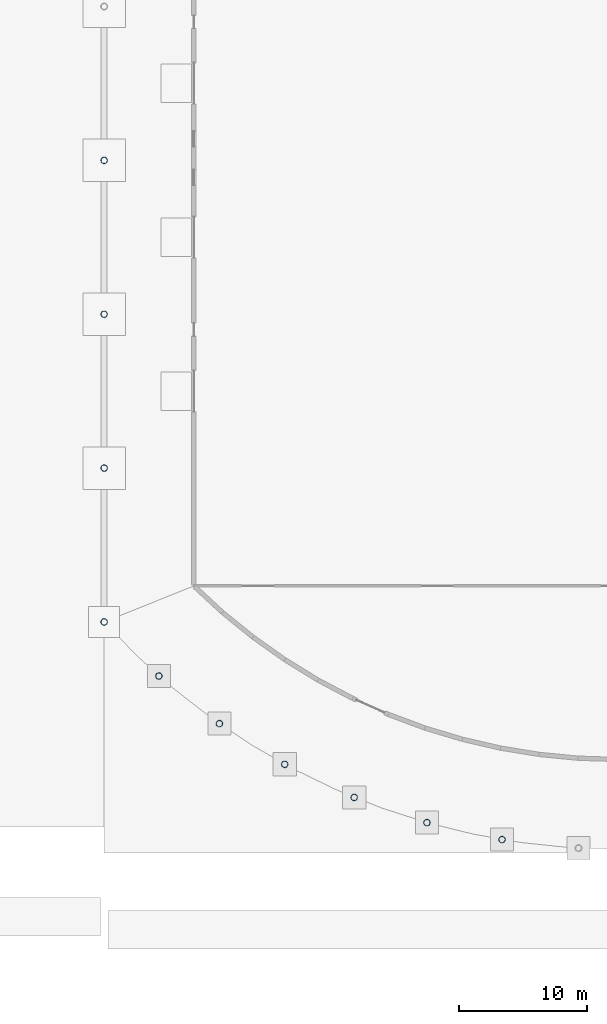
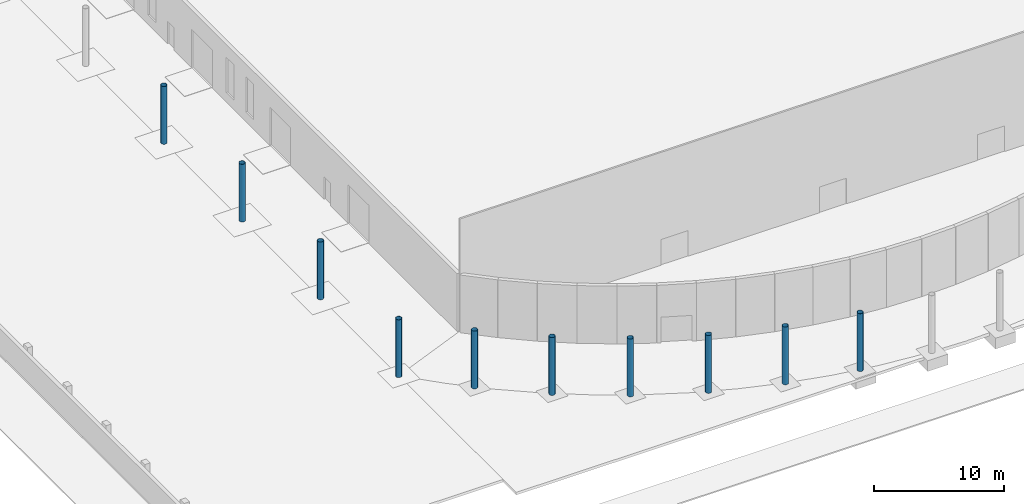
# One storey, part 8 of 132: 10 columns.
"""IFC4 building model written with IfcOpenShell, lengths in metres."""

import ifcopenshell
import ifcopenshell.guid

model = None  # the IFC model being written
_history = None  # IfcOwnerHistory: only IFC2X3 demands one
_inside = {}  # id of a spatial element -> (the spatial element, [elements in it])
_under = {}  # id of a project, library or spatial element -> (it, [spatial elements below it])
_declared = {}  # id of a project -> (the project, [libraries it declares])
_typed = {}  # id of a type object -> (the type object, [elements of that type])
_made_of = {}  # id of a material, layer set ... -> (it, [elements and type objects made of it])


def new_model(schema):
    """Start an empty IFC model of exactly this schema.

    Asked for "IFC4X3", IfcOpenShell would pick the latest addendum, in which some entities
    have other attributes; the version numbers below select the first issue.
    IFC2X3 requires an IfcOwnerHistory on every rooted entity: one is made here for all.
    """
    global model, _history
    if schema == "IFC4X3":
        model = ifcopenshell.file(schema_version=(4, 3, 0, 0))
    else:
        model = ifcopenshell.file(schema=schema)
    _inside.clear()
    _under.clear()
    _declared.clear()
    _typed.clear()
    _made_of.clear()
    _history = None
    if model.schema == "IFC2X3":
        org = make("IfcOrganization", Name="unknown")
        user = make(
            "IfcPersonAndOrganization",
            ThePerson=make("IfcPerson", FamilyName="unknown"),
            TheOrganization=org,
        )
        app = make(
            "IfcApplication",
            ApplicationDeveloper=org,
            Version="unknown",
            ApplicationFullName="unknown",
            ApplicationIdentifier="unknown",
        )
        _history = make(
            "IfcOwnerHistory",
            OwningUser=user,
            OwningApplication=app,
            ChangeAction="ADDED",
            CreationDate=0,
        )
    return model


def make(cls, **values):
    """One entity of the class cls with the attributes given. An attribute that is None is left unset."""
    return model.create_entity(
        cls, **{name: value for name, value in values.items() if value is not None}
    )


def rooted(cls, **values):
    """An entity with a GlobalId (a new one), such as an element, a storey or a relation."""
    return make(cls, GlobalId=ifcopenshell.guid.new(), OwnerHistory=_history, **values)


def si_unit(unit_type, name, prefix=None):
    """IfcSIUnit, for example si_unit("LENGTHUNIT", "METRE", prefix="MILLI")."""
    return make("IfcSIUnit", UnitType=unit_type, Prefix=prefix, Name=name)


def assignment(units):
    """IfcUnitAssignment: the units of a project."""
    return None if units is None else make("IfcUnitAssignment", Units=units)


def point(xyz):
    """IfcCartesianPoint."""
    return None if xyz is None else make("IfcCartesianPoint", Coordinates=xyz)


def direction(xyz):
    """IfcDirection."""
    return None if xyz is None else make("IfcDirection", DirectionRatios=xyz)


def frame(location, z_axis=None, x_axis=None):
    """IfcAxis2Placement3D, a coordinate frame: its origin and axes. An axis left out is left unset."""
    return make(
        "IfcAxis2Placement3D",
        Location=point(location),
        Axis=direction(z_axis),
        RefDirection=direction(x_axis),
    )


def frame_2d(location, x_axis=None):
    """IfcAxis2Placement2D, a coordinate frame in the plane: its origin and x axis."""
    return make(
        "IfcAxis2Placement2D", Location=point(location), RefDirection=direction(x_axis)
    )


def origin():
    """The frame at (0, 0, 0) with its axes left unset."""
    return frame((0.0, 0.0, 0.0))


def origin_2d():
    """The frame at (0, 0) in the plane with its x axis left unset."""
    return frame_2d((0.0, 0.0))


def place(relative_to, where):
    """IfcLocalPlacement: puts the frame where relative to a parent placement (None: the world)."""
    return make(
        "IfcLocalPlacement", PlacementRelTo=relative_to, RelativePlacement=where
    )


def context(
    kind, dimensions, precision=None, world=None, true_north=None, identifier=None
):
    """IfcGeometricRepresentationContext, for example the 3D "Model" context."""
    return make(
        "IfcGeometricRepresentationContext",
        ContextIdentifier=identifier,
        ContextType=kind,
        CoordinateSpaceDimension=dimensions,
        Precision=precision,
        WorldCoordinateSystem=world,
        TrueNorth=true_north,
    )


def subcontext(parent, identifier, kind, view, scale=None):
    """IfcGeometricRepresentationSubContext, for example "Body" below "Model"."""
    return make(
        "IfcGeometricRepresentationSubContext",
        ContextIdentifier=identifier,
        ContextType=kind,
        ParentContext=parent,
        TargetScale=scale,
        TargetView=view,
    )


def project(units=None, contexts=None):
    """IfcProject with its units and contexts."""
    return rooted(
        "IfcProject",
        Name="project",
        RepresentationContexts=contexts,
        UnitsInContext=assignment(units),
    )


def spatial(cls, under=None, at=None, **own):
    """A site, building, storey or space (cls), placed at a placement, below another one or the project."""
    s = rooted(cls, ObjectPlacement=at, **own)
    if under is not None:
        _under.setdefault(under.id(), (under, []))[1].append(s)
    return s


def profile(cls, at=None, kind="AREA", **sizes):
    """A parametric profile (cls). Its sizes go by their IFC names, for example OverallWidth=200.0."""
    return make(cls, ProfileType=kind, Position=at, **sizes)


def hollow_circle(**sizes):
    """IfcCircleHollowProfileDef."""
    return profile("IfcCircleHollowProfileDef", **sizes)


def extrude(swept, where, along, depth):
    """IfcExtrudedAreaSolid: the profile swept, set in the frame where, extruded along a direction by depth."""
    return make(
        "IfcExtrudedAreaSolid",
        SweptArea=swept,
        Position=where,
        ExtrudedDirection=direction(along),
        Depth=depth,
    )


def shape(context_of_items, identifier, shape_type, items):
    """IfcShapeRepresentation: the items that make up one representation, for example the "Body"."""
    return make(
        "IfcShapeRepresentation",
        ContextOfItems=context_of_items,
        RepresentationIdentifier=identifier,
        RepresentationType=shape_type,
        Items=items,
    )


def material(Name=None, Category=None):
    """IfcMaterial."""
    return make("IfcMaterial", Name=Name, Category=Category)


def material_profile(
    of_material, cross_section, Name=None, Category=None, Priority=None
):
    """IfcMaterialProfile: a cross section and its material."""
    return make(
        "IfcMaterialProfile",
        Name=Name,
        Material=of_material,
        Profile=cross_section,
        Priority=Priority,
        Category=Category,
    )


def profile_set(profiles, Name=None, composite=None):
    """IfcMaterialProfileSet."""
    return make(
        "IfcMaterialProfileSet",
        Name=Name,
        MaterialProfiles=profiles,
        CompositeProfile=composite,
    )


def made_of(thing, what):
    """Note that an element or type object is made of a material, layer set ...; save() writes the relation."""
    if what is not None:
        _made_of.setdefault(what.id(), (what, []))[1].append(thing)
    return thing


def type_object(cls, material=None, **own):
    """A type object (cls), such as IfcWallType, which elements share."""
    return made_of(rooted(cls, **own), material)


def element(
    cls,
    number,
    at=None,
    inside=None,
    cuts=None,
    type_object=None,
    material=None,
    context=None,
    identifier="Body",
    shape_type=None,
    held_by="IfcProductDefinitionShape",
    body=None,
    shapes=None,
    **own,
):
    """One element of the class cls, such as IfcWall. Its Tag is "e" and its number.

    at: its placement. inside: the storey or other place that contains it. cuts: it is an
    opening in that element (IfcRelVoidsElement). A single representation is given by context,
    identifier, shape_type and body (its items); several are given by shapes. held_by: the class
    of the entity that holds the representations. save() writes the other relations.
    """
    e = rooted(cls, Tag="e%d" % number, ObjectPlacement=at, **own)
    if body is not None:
        shapes = [shape(context, identifier, shape_type, body)]
    if shapes is not None:
        e.Representation = make(held_by, Representations=shapes)
    if inside is not None:
        _inside.setdefault(inside.id(), (inside, []))[1].append(e)
    if cuts is not None:
        rooted(
            "IfcRelVoidsElement", RelatingBuildingElement=cuts, RelatedOpeningElement=e
        )
    if type_object is not None:
        _typed.setdefault(type_object.id(), (type_object, []))[1].append(e)
    return made_of(e, material)


def aggregate(whole, parts):
    """IfcRelAggregates: a whole, such as a stair, and the parts it consists of."""
    return rooted("IfcRelAggregates", RelatingObject=whole, RelatedObjects=parts)


def save(model, path):
    """Write the relations noted so far, then the file.

    IfcRelAggregates (storeys below a building ...), IfcRelContainedInSpatialStructure (elements
    in a storey), IfcRelDefinesByType, IfcRelAssociatesMaterial and IfcRelDeclares: one each for
    every whole, place, type object, material and project.
    """
    for whole, parts in _under.values():
        aggregate(whole, parts)
    for where, things in _inside.values():
        rooted(
            "IfcRelContainedInSpatialStructure",
            RelatedElements=things,
            RelatingStructure=where,
        )
    for kind, things in _typed.values():
        rooted("IfcRelDefinesByType", RelatedObjects=things, RelatingType=kind)
    for what, things in _made_of.values():
        rooted("IfcRelAssociatesMaterial", RelatedObjects=things, RelatingMaterial=what)
    for by, libraries in _declared.values():
        rooted("IfcRelDeclares", RelatingContext=by, RelatedDefinitions=libraries)
    model.write(path)


model = new_model("IFC4")

# Units and contexts
model_context = context("Model", 3, precision=1e-05, world=origin(), true_north=direction((0.0, 1.0)))
body_context = subcontext(model_context, "Body", "Model", "MODEL_VIEW")
ifc_project = project(units=[si_unit("LENGTHUNIT", "METRE"), si_unit("AREAUNIT", "SQUARE_METRE"), si_unit("VOLUMEUNIT", "CUBIC_METRE"), si_unit("PLANEANGLEUNIT", "RADIAN"), si_unit("MASSUNIT", "GRAM", prefix="KILO")], contexts=[model_context])

# Site, building, storey
site_placement = place(None, origin())
site = spatial("IfcSite", under=ifc_project, at=site_placement, CompositionType="ELEMENT")
building_placement = place(site_placement, origin())
building = spatial("IfcBuilding", under=site, at=building_placement, Name="Ravi Spectrum Wholesale Market", CompositionType="ELEMENT")
storey_placement = place(building_placement, origin())
storey = spatial("IfcBuildingStorey", under=building, at=storey_placement, Name="L00", CompositionType="ELEMENT", Elevation=0.0)

# Columns
ifc_material = material(Name="Steel S355", Category="steel")
ifc_material_profile = material_profile(ifc_material, hollow_circle(Radius=0.25390625, WallThickness=0.01611328125, at=origin_2d()))
ifc_profile_set = profile_set([ifc_material_profile], Name="Steel S355")
column_type = type_object("IfcColumnType", Name="CHS 508x16 column", PredefinedType="COLUMN", material=ifc_profile_set)
for number, where, z_axis, x_axis, name in (
    (1, (30.0, 30.0, 0.0), (0.0, 0.0, 1.0), (1.0, 0.0, 0.0), "H1-COL-L00-001"),
    (2, (30.0, 42.0, 0.0), (0.0, 0.0, 1.0), (1.0, 0.0, 0.0), "H1-COL-L00-002"),
    (3, (30.0, 54.0, 0.0), (0.0, 0.0, 1.0), (1.0, 0.0, 0.0), "H1-COL-L00-003"),
    (4, (30.0, 66.0, 0.0), (0.0, 0.0, 1.0), (1.0, 0.0, 0.0), "H1-COL-L00-004"),
    (5, (34.273681640625, 25.784423828125, 0.0), (0.0, 0.0, 1.0), (1.0, 0.0, 0.0), "H1-COL-L00-031"),
    (6, (38.98876953125, 22.069091796875, 0.0), (0.0, 0.0, 1.0), (1.0, 0.0, 0.0), "H1-COL-L00-032"),
    (7, (44.087158203125, 18.900390625, 0.0), (0.0, 0.0, 1.0), (1.0, 0.0, 0.0), "H1-COL-L00-033"),
    (8, (49.505859375, 16.31689453125, 0.0), (0.0, 0.0, 1.0), (1.0, 0.0, 0.0), "H1-COL-L00-034"),
    (9, (55.177734375, 14.350830078125, 0.0), (0.0, 0.0, 1.0), (1.0, 0.0, 0.0), "H1-COL-L00-035"),
    (10, (61.03271484375, 13.0263671875, 0.0), (0.0, 0.0, 1.0), (1.0, 0.0, 0.0), "H1-COL-L00-036"),
):
    element("IfcColumn", number, at=place(storey_placement, frame(where, z_axis=z_axis, x_axis=x_axis)), inside=storey, type_object=column_type, Name=name, PredefinedType="COLUMN", context=body_context, shape_type="SweptSolid", body=[
        extrude(hollow_circle(Radius=0.25390625, WallThickness=0.01611328125, at=origin_2d()), origin(), (0.0, 0.0, 1.0), 5.39990234375),
    ])

save(model, "model.ifc")
